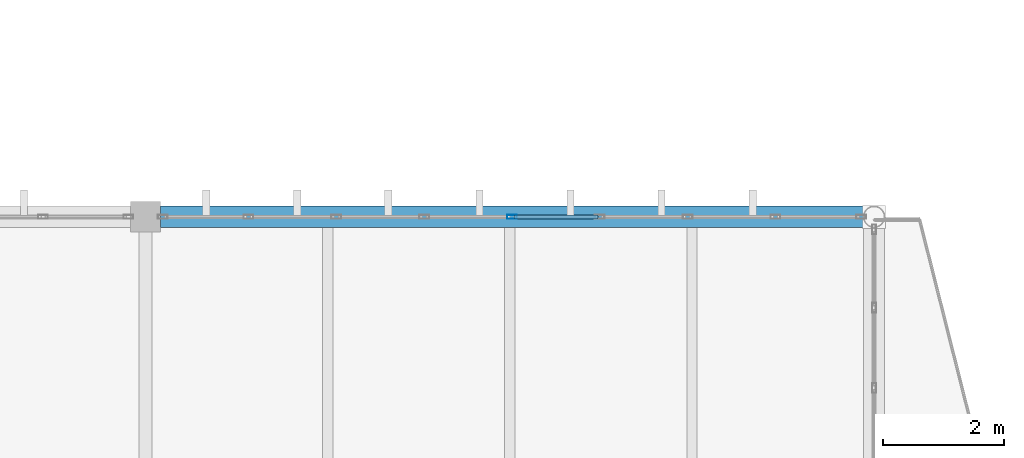
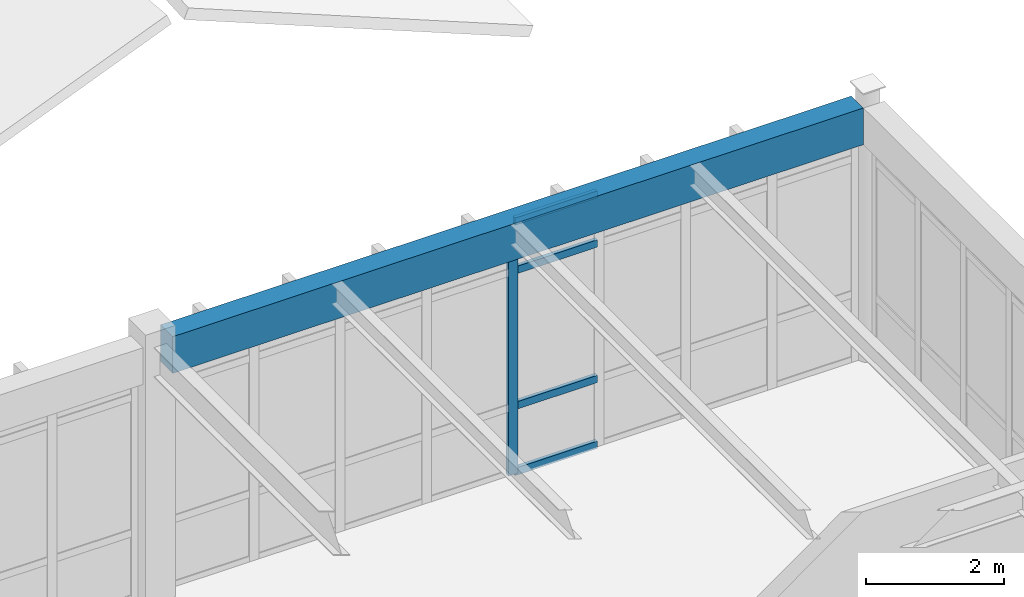
# One storey, part 23 of 236: 5 members, 1 beam, 1 element without a shape of its own.
"""IFC4 building model written with IfcOpenShell, lengths in metres."""

from ifc_helpers import new_model, si_unit, direction, frame, origin, origin_2d, place, context, subcontext, project, spatial, rectangle, hollow_rectangle, extrude, material, layer, layer_set, material_profile, profile_set, type_object, element, aggregate, save


model = new_model("IFC4")

# Units and contexts
model_context = context("Model", 3, precision=1e-05, world=origin(), true_north=direction((0.0, 1.0)))
body_context = subcontext(model_context, "Body", "Model", "MODEL_VIEW")
ifc_project = project(units=[si_unit("LENGTHUNIT", "METRE"), si_unit("AREAUNIT", "SQUARE_METRE"), si_unit("VOLUMEUNIT", "CUBIC_METRE"), si_unit("PLANEANGLEUNIT", "RADIAN"), si_unit("MASSUNIT", "GRAM", prefix="KILO")], contexts=[model_context])

# Site, building, storey
site_placement = place(None, origin())
site = spatial("IfcSite", under=ifc_project, at=site_placement, CompositionType="ELEMENT")
building_placement = place(site_placement, origin())
building = spatial("IfcBuilding", under=site, at=building_placement, Name="Pandanus Reach Market Hall", CompositionType="ELEMENT")
storey_placement = place(building_placement, frame((0.0, 0.0, 5.39990234375)))
storey = spatial("IfcBuildingStorey", under=building, at=storey_placement, Name="L01", CompositionType="ELEMENT", Elevation=5.39990234375)

# Beam
ifc_material_1 = material(Name="Concrete N40 (40 MPa)", Category="concrete")
ifc_material_profile_1 = material_profile(ifc_material_1, rectangle(XDim=0.35009765625, YDim=0.64990234375, at=origin_2d()), Name="RC350x650", Category="LoadBearing")
ifc_profile_set_1 = profile_set([ifc_material_profile_1], Name="Concrete N40 (40 MPa)")
beam_type = type_object("IfcBeamType", Name="BM-RC350-E", PredefinedType="SPANDREL", material=ifc_profile_set_1)
beam_placement = place(storey_placement, frame((24.248046875, 28.800048828125, 4.22998046875), z_axis=(1.0, 0.0, 0.0), x_axis=(0.0, 1.0, 0.0)))
element("IfcBeam", 1, at=beam_placement, inside=storey, type_object=beam_type, Name="Framing beam BM-RC350-E L01.977", PredefinedType="SPANDREL", context=body_context, shape_type="SweptSolid", body=[
    extrude(rectangle(XDim=0.35009765625, YDim=0.64990234375, at=origin_2d()), origin(), (0.0, 0.0, 1.0), 11.576171875),
])

# Curtain wall, members
ifc_material_2 = material(Name="Bronze anodised aluminium and low-E glass", Category="aluminium")
ifc_layer = layer(ifc_material_2, 0.159912109375, Name="CW-18")
ifc_layer_set = layer_set([ifc_layer], Name="Bronze anodised aluminium and low-E glass")
curtain_wall_type = type_object("IfcCurtainWallType", Name="CW-18", PredefinedType="NOTDEFINED", material=ifc_layer_set)
curtain_wall_placement = place(storey_placement, origin())
curtain_wall = element("IfcCurtainWall", 2, at=curtain_wall_placement, inside=storey, type_object=curtain_wall_type, Name="Glazed curtain wall CW-18 CW-0059", PredefinedType="NOTDEFINED")
ifc_material_3 = material(Name="Bronze anodised aluminium", Category="aluminium")
ifc_material_profile_2 = material_profile(ifc_material_3, hollow_rectangle(XDim=0.06494140625, YDim=0.159912109375, WallThickness=0.00390625, at=origin_2d()), Name="ALU65x160", Category="LoadBearing")
ifc_profile_set_2 = profile_set([ifc_material_profile_2], Name="Bronze anodised aluminium")
member_type_1 = type_object("IfcMemberType", Name="CW-M1", PredefinedType="MULLION", material=ifc_profile_set_2)
member_1_placement = place(storey_placement, frame((30.0361328125, 28.800048828125, 0.0), z_axis=(0.0, 0.0, 1.0), x_axis=(0.0, 1.0, 0.0)))
member_1 = element("IfcMember", 3, at=member_1_placement, type_object=member_type_1, Name="CW-18 mullion 5", PredefinedType="MULLION", context=body_context, shape_type="SweptSolid", body=[
    extrude(hollow_rectangle(XDim=0.06494140625, YDim=0.159912109375, WallThickness=0.00390625, at=origin_2d()), origin(), (0.0, 0.0, 1.0), 4.5),
])
ifc_material_profile_3 = material_profile(ifc_material_3, hollow_rectangle(XDim=0.06494140625, YDim=0.1298828125, WallThickness=0.00390625, at=origin_2d()), Name="ALU65x130", Category="LoadBearing")
ifc_profile_set_3 = profile_set([ifc_material_profile_3], Name="Bronze anodised aluminium")
member_type_2 = type_object("IfcMemberType", Name="CW-T1", PredefinedType="USERDEFINED", material=ifc_profile_set_3)
member_2_placement = place(storey_placement, frame((30.068603515625, 28.800048828125, 0.03271484375), z_axis=(1.0, 0.0, 0.0), x_axis=(0.0, 1.0, 0.0)))
member_2 = element("IfcMember", 4, at=member_2_placement, type_object=member_type_2, Name="CW-18 transom 5.1", ObjectType="TRANSOM", PredefinedType="USERDEFINED", context=body_context, shape_type="SweptSolid", body=[
    extrude(hollow_rectangle(XDim=0.06494140625, YDim=0.1298828125, WallThickness=0.00390625, at=origin_2d()), origin(), (0.0, 0.0, 1.0), 1.381591796875),
])
member_3_placement = place(storey_placement, frame((30.068603515625, 28.800048828125, 1.2001953125), z_axis=(1.0, 0.0, 0.0), x_axis=(0.0, 1.0, 0.0)))
member_3 = element("IfcMember", 5, at=member_3_placement, type_object=member_type_2, Name="CW-18 transom 5.2", ObjectType="TRANSOM", PredefinedType="USERDEFINED", context=body_context, shape_type="SweptSolid", body=[
    extrude(hollow_rectangle(XDim=0.06494140625, YDim=0.1298828125, WallThickness=0.00390625, at=origin_2d()), origin(), (0.0, 0.0, 1.0), 1.381591796875),
])
member_4_placement = place(storey_placement, frame((30.068603515625, 28.800048828125, 3.60009765625), z_axis=(1.0, 0.0, 0.0), x_axis=(0.0, 1.0, 0.0)))
member_4 = element("IfcMember", 6, at=member_4_placement, type_object=member_type_2, Name="CW-18 transom 5.3", ObjectType="TRANSOM", PredefinedType="USERDEFINED", context=body_context, shape_type="SweptSolid", body=[
    extrude(hollow_rectangle(XDim=0.06494140625, YDim=0.1298828125, WallThickness=0.00390625, at=origin_2d()), origin(), (0.0, 0.0, 1.0), 1.381591796875),
])
member_5_placement = place(storey_placement, frame((30.068603515625, 28.800048828125, 4.467529296875), z_axis=(1.0, 0.0, 0.0), x_axis=(0.0, 1.0, 0.0)))
member_5 = element("IfcMember", 7, at=member_5_placement, type_object=member_type_2, Name="CW-18 transom 5.4", ObjectType="TRANSOM", PredefinedType="USERDEFINED", context=body_context, shape_type="SweptSolid", body=[
    extrude(hollow_rectangle(XDim=0.06494140625, YDim=0.1298828125, WallThickness=0.00390625, at=origin_2d()), origin(), (0.0, 0.0, 1.0), 1.381591796875),
])
aggregate(curtain_wall, [member_1, member_2, member_3, member_4, member_5])

save(model, "model.ifc")
